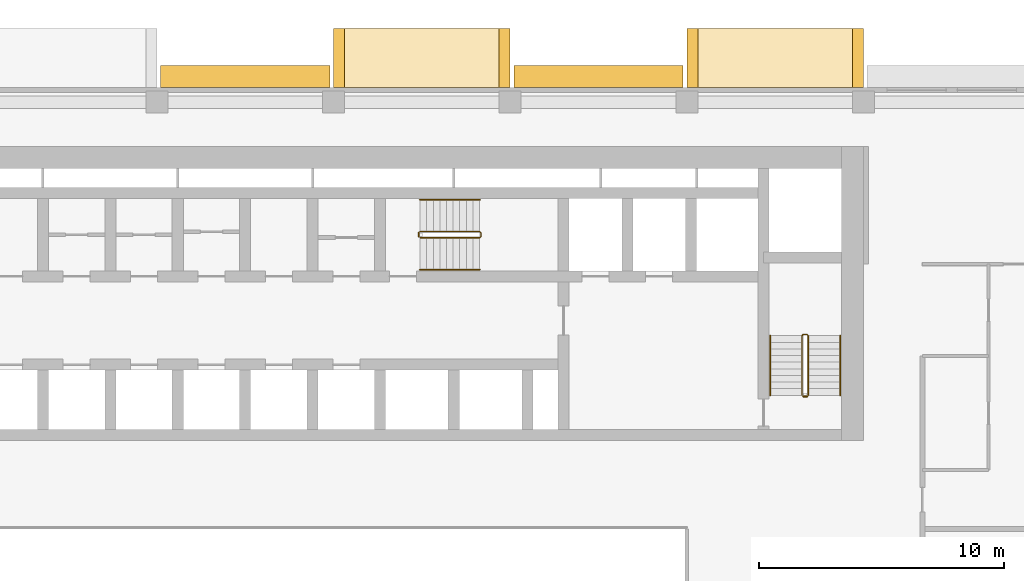
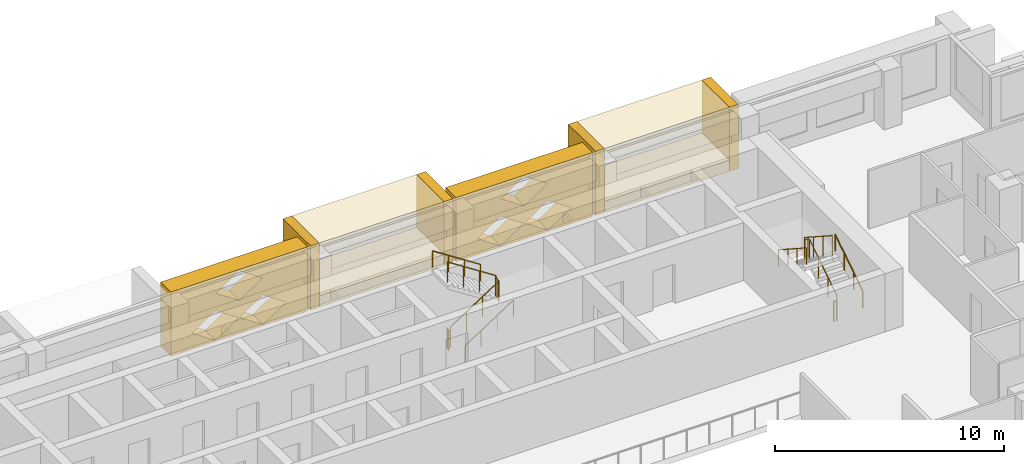
# One storey, part 16 of 17: 10 coverings, 8 railings.
"""IFC4 building model written with IfcOpenShell, lengths in metres."""

from ifc_helpers import new_model, si_unit, direction, frame, origin, origin_2d, place, context, subcontext, project, spatial, polyline, circle, outline, extrude, material, type_object, element, save


model = new_model("IFC4")

# Units and contexts
model_context = context("Model", 3, precision=1e-05, world=origin(), true_north=direction((0.0, 1.0)))
body_context = subcontext(model_context, "Body", "Model", "MODEL_VIEW")
ifc_project = project(units=[si_unit("LENGTHUNIT", "METRE"), si_unit("AREAUNIT", "SQUARE_METRE"), si_unit("VOLUMEUNIT", "CUBIC_METRE"), si_unit("PLANEANGLEUNIT", "RADIAN"), si_unit("MASSUNIT", "GRAM", prefix="KILO")], contexts=[model_context])

# Site, building, storey
site_placement = place(None, origin())
site = spatial("IfcSite", under=ifc_project, at=site_placement, CompositionType="ELEMENT")
building_placement = place(site_placement, origin())
building = spatial("IfcBuilding", under=site, at=building_placement, Name="Saffron Iwan Residences", CompositionType="ELEMENT")
storey_placement = place(building_placement, frame((0.0, 0.0, 104.0)))
storey = spatial("IfcBuildingStorey", under=building, at=storey_placement, Name="L27", CompositionType="ELEMENT", Elevation=104.0)

# Coverings
ifc_material_1 = material(Name="Precast concrete C40/50", Category="concrete")
covering_type_1 = type_object("IfcCoveringType", Name="OUTER SKIN LATTICE SCREEN", PredefinedType="CLADDING", material=ifc_material_1)
for number, where, z_axis, x_axis, name in (
    (1, (64.64990234375, 80.39990234375, -0.320068359375), (0.0, 1.0, 0.0), (-1.0, 0.0, 0.0), "OUTER SKIN lattice screen L27 F5.1"),
    (2, (50.25, 80.39990234375, -0.320068359375), (0.0, 1.0, 0.0), (-1.0, 0.0, 0.0), "OUTER SKIN lattice screen L27 F5.2"),
):
    element("IfcCovering", number, at=place(storey_placement, frame(where, z_axis=z_axis, x_axis=x_axis)), inside=storey, type_object=covering_type_1, Name=name, PredefinedType="CLADDING", context=body_context, shape_type="SweptSolid", body=[
        extrude(outline(polyline([(0.0, 0.0), (6.89990234375, 0.0), (6.89990234375, 3.419921875), (0.0, 3.419921875), (0.0, 0.0)]), holes=[polyline([(1.070068359375, 0.85498046875), (2.25, 0.06005859375), (3.429931640625, 0.85498046875), (2.25, 1.64990234375), (1.070068359375, 0.85498046875)]), polyline([(3.469970703125, 0.85498046875), (4.64990234375, 0.06005859375), (5.830078125, 0.85498046875), (4.64990234375, 1.64990234375), (3.469970703125, 0.85498046875)]), polyline([(2.27001953125, 2.56494140625), (3.449951171875, 1.77001953125), (4.6298828125, 2.56494140625), (3.449951171875, 3.360107421875), (2.27001953125, 2.56494140625)])]), origin(), (0.0, 0.0, 1.0), 0.900146484375),
    ])

# Railings
ifc_material_2 = material(Name="Steel S355", Category="steel")
railing_type_1 = type_object("IfcRailingType", Name="Stair guard 1100", PredefinedType="GUARDRAIL", material=ifc_material_2)
railing_1_placement = place(storey_placement, frame((53.925048828125, 74.27490234375, 0.175048828125)))
element("IfcRailing", 3, at=railing_1_placement, inside=storey, type_object=railing_type_1, Name="L27 ST-C stair guard 1", PredefinedType="GUARDRAIL", context=body_context, shape_type="SweptSolid", body=[
    extrude(circle(Radius=0.02392578125, at=origin_2d()), frame((0.0, 0.0, 1.076171875), z_axis=(0.839153699163, 0.0, 0.543894354798), x_axis=(0.0, 1.0, 0.0)), (0.0, 0.0, 1.0), 2.895751953125),
    extrude(circle(Radius=0.02392578125, at=origin_2d()), frame((2.429931640625, 0.0, 2.65087890625), z_axis=(0.707106781187, 0.707106781187, 0.0), x_axis=(-0.707106781187, 0.707106781187, 0.0)), (0.0, 0.0, 1.0), 0.07080078125),
    extrude(circle(Radius=0.02392578125, at=origin_2d()), frame((2.47998046875, 0.050048828125, 2.65087890625), z_axis=(0.0, 1.0, 0.0), x_axis=(-1.0, 0.0, 0.0)), (0.0, 0.0, 1.0), 0.150146484375),
    extrude(circle(Radius=0.02392578125, at=origin_2d()), frame((2.47998046875, 0.2001953125, 2.65087890625), z_axis=(-0.265155923931, 0.263862480399, 0.927399011991), x_axis=(-0.705375805398, -0.708833529934, 0.0)), (0.0, 0.0, 1.0), 0.188720703125),
    extrude(circle(Radius=0.02392578125, at=origin_2d()), frame((2.429931640625, 0.25, 2.826171875), z_axis=(-0.839153699163, 0.0, 0.543894354798), x_axis=(0.0, -1.0, 0.0)), (0.0, 0.0, 1.0), 2.895751953125),
    extrude(circle(Radius=0.02099609375, at=origin_2d()), origin(), (0.0, 0.0, 1.0), 1.052001953125),
    extrude(circle(Radius=0.02099609375, at=origin_2d()), frame((0.81005859375, 0.0, 0.52490234375)), (0.0, 0.0, 1.0), 1.052001953125),
    extrude(circle(Radius=0.02099609375, at=origin_2d()), frame((1.619873046875, 0.0, 1.050048828125)), (0.0, 0.0, 1.0), 1.052001953125),
    extrude(circle(Radius=0.02099609375, at=origin_2d()), frame((2.429931640625, 0.0, 1.574951171875)), (0.0, 0.0, 1.0), 1.052001953125),
    extrude(circle(Radius=0.02099609375, at=origin_2d()), frame((2.47998046875, 0.050048828125, 1.574951171875)), (0.0, 0.0, 1.0), 1.052001953125),
    extrude(circle(Radius=0.02099609375, at=origin_2d()), frame((2.47998046875, 0.2001953125, 1.574951171875)), (0.0, 0.0, 1.0), 1.052001953125),
    extrude(circle(Radius=0.02099609375, at=origin_2d()), frame((2.429931640625, 0.25, 1.75)), (0.0, 0.0, 1.0), 1.052001953125),
    extrude(circle(Radius=0.02099609375, at=origin_2d()), frame((1.619873046875, 0.25, 2.27490234375)), (0.0, 0.0, 1.0), 1.052001953125),
    extrude(circle(Radius=0.02099609375, at=origin_2d()), frame((0.81005859375, 0.25, 2.800048828125)), (0.0, 0.0, 1.0), 1.052001953125),
    extrude(circle(Radius=0.02099609375, at=origin_2d()), frame((0.0, 0.25, 3.324951171875)), (0.0, 0.0, 1.0), 1.052001953125),
])
railing_2_placement = place(storey_placement, frame((53.875, 74.324951171875, 0.0)))
element("IfcRailing", 4, at=railing_2_placement, inside=storey, type_object=railing_type_1, Name="L27 ST-C stair guard 2", PredefinedType="GUARDRAIL", context=body_context, shape_type="SweptSolid", body=[
    extrude(circle(Radius=0.02392578125, at=origin_2d()), frame((0.0, 0.0, 1.076171875), z_axis=(0.0, 1.0, 0.0), x_axis=(-1.0, 0.0, 0.0)), (0.0, 0.0, 1.0), 0.150146484375),
    extrude(circle(Radius=0.02099609375, at=origin_2d()), origin(), (0.0, 0.0, 1.0), 1.052001953125),
    extrude(circle(Radius=0.02099609375, at=origin_2d()), frame((0.0, 0.150146484375, 0.0)), (0.0, 0.0, 1.0), 1.052001953125),
])
railing_3_placement = place(storey_placement, frame((69.75, 67.85009765625, 0.175048828125)))
element("IfcRailing", 5, at=railing_3_placement, inside=storey, type_object=railing_type_1, Name="L27 ST-E stair guard 1", PredefinedType="GUARDRAIL", context=body_context, shape_type="SweptSolid", body=[
    extrude(circle(Radius=0.02392578125, at=origin_2d()), frame((0.0, 0.0, 1.076171875), z_axis=(0.0, 0.839153699163, 0.543894354798), x_axis=(-1.0, 0.0, 0.0)), (0.0, 0.0, 1.0), 2.895751953125),
    extrude(circle(Radius=0.02392578125, at=origin_2d()), frame((0.0, 2.429931640625, 2.65087890625), z_axis=(-0.707106781187, 0.707106781187, 0.0), x_axis=(-0.707106781187, -0.707106781187, 0.0)), (0.0, 0.0, 1.0), 0.07080078125),
    extrude(circle(Radius=0.02392578125, at=origin_2d()), frame((-0.050048828125, 2.47998046875, 2.65087890625), z_axis=(-1.0, 0.0, 0.0), x_axis=(0.0, -1.0, 0.0)), (0.0, 0.0, 1.0), 0.14990234375),
    extrude(circle(Radius=0.02392578125, at=origin_2d()), frame((-0.199951171875, 2.47998046875, 2.65087890625), z_axis=(-0.265065253269, -0.265065253269, 0.927081885822), x_axis=(0.707106781187, -0.707106781187, 0.0)), (0.0, 0.0, 1.0), 0.188720703125),
    extrude(circle(Radius=0.02392578125, at=origin_2d()), frame((-0.25, 2.429931640625, 2.826171875), z_axis=(0.0, -0.839153699163, 0.543894354798), x_axis=(1.0, 0.0, 0.0)), (0.0, 0.0, 1.0), 2.895751953125),
    extrude(circle(Radius=0.02099609375, at=origin_2d()), origin(), (0.0, 0.0, 1.0), 1.052001953125),
    extrude(circle(Radius=0.02099609375, at=origin_2d()), frame((0.0, 0.81005859375, 0.52490234375)), (0.0, 0.0, 1.0), 1.052001953125),
    extrude(circle(Radius=0.02099609375, at=origin_2d()), frame((0.0, 1.619873046875, 1.050048828125)), (0.0, 0.0, 1.0), 1.052001953125),
    extrude(circle(Radius=0.02099609375, at=origin_2d()), frame((0.0, 2.429931640625, 1.574951171875)), (0.0, 0.0, 1.0), 1.052001953125),
    extrude(circle(Radius=0.02099609375, at=origin_2d()), frame((-0.050048828125, 2.47998046875, 1.574951171875)), (0.0, 0.0, 1.0), 1.052001953125),
    extrude(circle(Radius=0.02099609375, at=origin_2d()), frame((-0.199951171875, 2.47998046875, 1.574951171875)), (0.0, 0.0, 1.0), 1.052001953125),
    extrude(circle(Radius=0.02099609375, at=origin_2d()), frame((-0.25, 2.429931640625, 1.75)), (0.0, 0.0, 1.0), 1.052001953125),
    extrude(circle(Radius=0.02099609375, at=origin_2d()), frame((-0.25, 1.619873046875, 2.27490234375)), (0.0, 0.0, 1.0), 1.052001953125),
    extrude(circle(Radius=0.02099609375, at=origin_2d()), frame((-0.25, 0.81005859375, 2.800048828125)), (0.0, 0.0, 1.0), 1.052001953125),
    extrude(circle(Radius=0.02099609375, at=origin_2d()), frame((-0.25, 0.0, 3.324951171875)), (0.0, 0.0, 1.0), 1.052001953125),
])
railing_4_placement = place(storey_placement, frame((69.699951171875, 67.800048828125, 0.0)))
element("IfcRailing", 6, at=railing_4_placement, inside=storey, type_object=railing_type_1, Name="L27 ST-E stair guard 2", PredefinedType="GUARDRAIL", context=body_context, shape_type="SweptSolid", body=[
    extrude(circle(Radius=0.02392578125, at=origin_2d()), frame((0.0, 0.0, 1.076171875), z_axis=(-1.0, 0.0, 0.0), x_axis=(0.0, -1.0, 0.0)), (0.0, 0.0, 1.0), 0.14990234375),
    extrude(circle(Radius=0.02099609375, at=origin_2d()), origin(), (0.0, 0.0, 1.0), 1.052001953125),
    extrude(circle(Radius=0.02099609375, at=origin_2d()), frame((-0.14990234375, 0.0, 0.0)), (0.0, 0.0, 1.0), 1.052001953125),
])
ifc_material_3 = material(Name="Stainless steel 316", Category="steel")
railing_type_2 = type_object("IfcRailingType", Name="Stair handrail 900", PredefinedType="HANDRAIL", material=ifc_material_3)
railing_5_placement = place(storey_placement, frame((53.925048828125, 72.97509765625, 0.175048828125)))
element("IfcRailing", 7, at=railing_5_placement, inside=storey, type_object=railing_type_2, Name="L27 ST-C stair handrail 1", PredefinedType="HANDRAIL", context=body_context, shape_type="SweptSolid", body=[
    extrude(circle(Radius=0.02392578125, at=origin_2d()), frame((0.0, 0.0, 0.8759765625), z_axis=(0.839153699163, 0.0, 0.543894354798), x_axis=(0.0, 1.0, 0.0)), (0.0, 0.0, 1.0), 2.895751953125),
    extrude(circle(Radius=0.02099609375, at=origin_2d()), origin(), (0.0, 0.0, 1.0), 0.851806640625),
    extrude(circle(Radius=0.02099609375, at=origin_2d()), frame((0.81005859375, 0.0, 0.52490234375)), (0.0, 0.0, 1.0), 0.851806640625),
    extrude(circle(Radius=0.02099609375, at=origin_2d()), frame((1.619873046875, 0.0, 1.050048828125)), (0.0, 0.0, 1.0), 0.851806640625),
    extrude(circle(Radius=0.02099609375, at=origin_2d()), frame((2.429931640625, 0.0, 1.574951171875)), (0.0, 0.0, 1.0), 0.851806640625),
])
railing_6_placement = place(storey_placement, frame((56.35498046875, 75.824951171875, 1.925048828125)))
element("IfcRailing", 8, at=railing_6_placement, inside=storey, type_object=railing_type_2, Name="L27 ST-C stair handrail 2", PredefinedType="HANDRAIL", context=body_context, shape_type="SweptSolid", body=[
    extrude(circle(Radius=0.02392578125, at=origin_2d()), frame((0.0, 0.0, 0.8759765625), z_axis=(-0.839153699163, 0.0, 0.543894354798), x_axis=(0.0, -1.0, 0.0)), (0.0, 0.0, 1.0), 2.895751953125),
    extrude(circle(Radius=0.02099609375, at=origin_2d()), origin(), (0.0, 0.0, 1.0), 0.851806640625),
    extrude(circle(Radius=0.02099609375, at=origin_2d()), frame((-0.81005859375, 0.0, 0.52490234375)), (0.0, 0.0, 1.0), 0.851806640625),
    extrude(circle(Radius=0.02099609375, at=origin_2d()), frame((-1.619873046875, 0.0, 1.050048828125)), (0.0, 0.0, 1.0), 0.851806640625),
    extrude(circle(Radius=0.02099609375, at=origin_2d()), frame((-2.429931640625, 0.0, 1.574951171875)), (0.0, 0.0, 1.0), 0.851806640625),
])
railing_7_placement = place(storey_placement, frame((71.050048828125, 67.85009765625, 0.175048828125)))
element("IfcRailing", 9, at=railing_7_placement, inside=storey, type_object=railing_type_2, Name="L27 ST-E stair handrail 1", PredefinedType="HANDRAIL", context=body_context, shape_type="SweptSolid", body=[
    extrude(circle(Radius=0.02392578125, at=origin_2d()), frame((0.0, 0.0, 0.8759765625), z_axis=(0.0, 0.839153699163, 0.543894354798), x_axis=(-1.0, 0.0, 0.0)), (0.0, 0.0, 1.0), 2.895751953125),
    extrude(circle(Radius=0.02099609375, at=origin_2d()), origin(), (0.0, 0.0, 1.0), 0.851806640625),
    extrude(circle(Radius=0.02099609375, at=origin_2d()), frame((0.0, 0.81005859375, 0.52490234375)), (0.0, 0.0, 1.0), 0.851806640625),
    extrude(circle(Radius=0.02099609375, at=origin_2d()), frame((0.0, 1.619873046875, 1.050048828125)), (0.0, 0.0, 1.0), 0.851806640625),
    extrude(circle(Radius=0.02099609375, at=origin_2d()), frame((0.0, 2.429931640625, 1.574951171875)), (0.0, 0.0, 1.0), 0.851806640625),
])
railing_8_placement = place(storey_placement, frame((68.199951171875, 70.280029296875, 1.925048828125)))
element("IfcRailing", 10, at=railing_8_placement, inside=storey, type_object=railing_type_2, Name="L27 ST-E stair handrail 2", PredefinedType="HANDRAIL", context=body_context, shape_type="SweptSolid", body=[
    extrude(circle(Radius=0.02392578125, at=origin_2d()), frame((0.0, 0.0, 0.8759765625), z_axis=(0.0, -0.839153699163, 0.543894354798), x_axis=(1.0, 0.0, 0.0)), (0.0, 0.0, 1.0), 2.895751953125),
    extrude(circle(Radius=0.02099609375, at=origin_2d()), origin(), (0.0, 0.0, 1.0), 0.851806640625),
    extrude(circle(Radius=0.02099609375, at=origin_2d()), frame((0.0, -0.81005859375, 0.52490234375)), (0.0, 0.0, 1.0), 0.851806640625),
    extrude(circle(Radius=0.02099609375, at=origin_2d()), frame((0.0, -1.619873046875, 1.050048828125)), (0.0, 0.0, 1.0), 0.851806640625),
    extrude(circle(Radius=0.02099609375, at=origin_2d()), frame((0.0, -2.429931640625, 1.574951171875)), (0.0, 0.0, 1.0), 0.851806640625),
])

# Coverings
ifc_material_4 = material(Name="Precast concrete C40/50 white painted", Category="concrete")
covering_type_2 = type_object("IfcCoveringType", Name="WHITE SUN FRAME PRECAST", PredefinedType="CLADDING", material=ifc_material_4)
for number, where, z_axis, x_axis, name in (
    (11, (72.0, 80.39990234375, -0.320068359375), (0.0, 1.0, 0.0), (-1.0, 0.0, 0.0), "Sun frame L27 F5 10.8a"),
    (12, (65.25, 80.39990234375, -0.320068359375), (0.0, 1.0, 0.0), (-1.0, 0.0, 0.0), "Sun frame L27 F5 10.8b"),
):
    element("IfcCovering", number, at=place(storey_placement, frame(where, z_axis=z_axis, x_axis=x_axis)), inside=storey, type_object=covering_type_2, Name=name, PredefinedType="CLADDING", context=body_context, shape_type="SweptSolid", body=[
        extrude(outline(polyline([(0.0, 0.0), (0.449951171875, 0.0), (0.449951171875, 3.419921875), (0.0, 3.419921875), (0.0, 0.0)])), origin(), (0.0, 0.0, 1.0), 2.400146484375),
    ])
for number, where, z_axis, x_axis, name in (
    (13, (71.550048828125, 80.39990234375, 2.5), (0.0, 1.0, 0.0), (-1.0, 0.0, 0.0), "Sun frame L27 F5 10.8h"),
    (14, (71.550048828125, 80.39990234375, -0.320068359375), (0.0, 1.0, 0.0), (-1.0, 0.0, 0.0), "Sun frame L27 F5 10.8s"),
):
    element("IfcCovering", number, at=place(storey_placement, frame(where, z_axis=z_axis, x_axis=x_axis)), inside=storey, type_object=covering_type_2, Name=name, PredefinedType="CLADDING", context=body_context, shape_type="SweptSolid", body=[
        extrude(outline(polyline([(0.0, 0.0), (6.300048828125, 0.0), (6.300048828125, 0.60009765625), (0.0, 0.60009765625), (0.0, 0.0)])), origin(), (0.0, 0.0, 1.0), 2.400146484375),
    ])
for number, where, z_axis, x_axis, name in (
    (15, (57.60009765625, 80.39990234375, -0.320068359375), (0.0, 1.0, 0.0), (-1.0, 0.0, 0.0), "Sun frame L27 F5 25.2a"),
    (16, (50.85009765625, 80.39990234375, -0.320068359375), (0.0, 1.0, 0.0), (-1.0, 0.0, 0.0), "Sun frame L27 F5 25.2b"),
):
    element("IfcCovering", number, at=place(storey_placement, frame(where, z_axis=z_axis, x_axis=x_axis)), inside=storey, type_object=covering_type_2, Name=name, PredefinedType="CLADDING", context=body_context, shape_type="SweptSolid", body=[
        extrude(outline(polyline([(0.0, 0.0), (0.449951171875, 0.0), (0.449951171875, 3.419921875), (0.0, 3.419921875), (0.0, 0.0)])), origin(), (0.0, 0.0, 1.0), 2.400146484375),
    ])
for number, where, z_axis, x_axis, name in (
    (17, (57.14990234375, 80.39990234375, 2.5), (0.0, 1.0, 0.0), (-1.0, 0.0, 0.0), "Sun frame L27 F5 25.2h"),
    (18, (57.14990234375, 80.39990234375, -0.320068359375), (0.0, 1.0, 0.0), (-1.0, 0.0, 0.0), "Sun frame L27 F5 25.2s"),
):
    element("IfcCovering", number, at=place(storey_placement, frame(where, z_axis=z_axis, x_axis=x_axis)), inside=storey, type_object=covering_type_2, Name=name, PredefinedType="CLADDING", context=body_context, shape_type="SweptSolid", body=[
        extrude(outline(polyline([(0.0, 0.0), (6.300048828125, 0.0), (6.300048828125, 0.60009765625), (0.0, 0.60009765625), (0.0, 0.0)])), origin(), (0.0, 0.0, 1.0), 2.400146484375),
    ])

save(model, "model.ifc")
